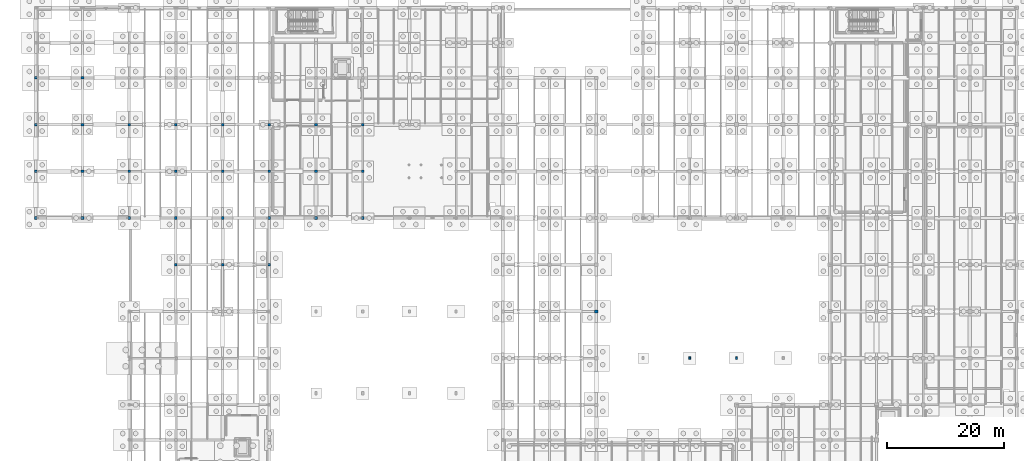
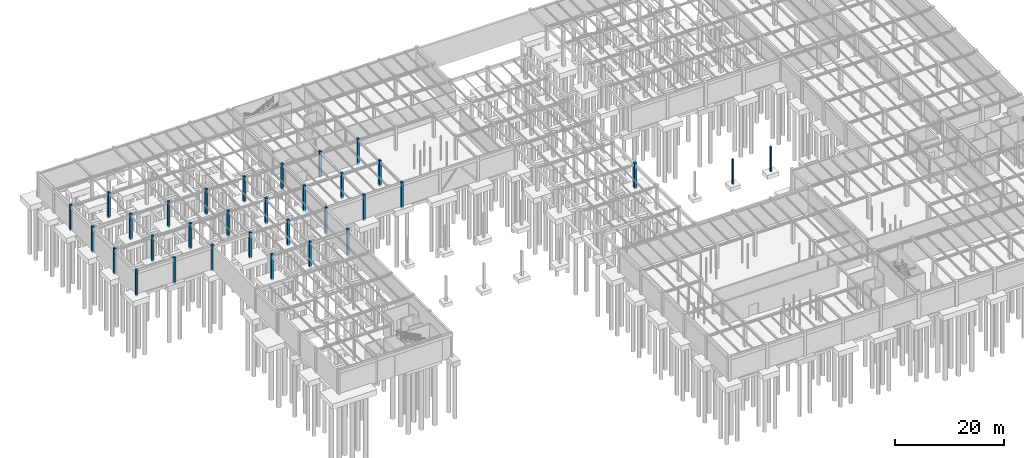
# One storey, part 18 of 71: 32 columns.
"""IFC4 building model written with IfcOpenShell, lengths in metres."""

from ifc_helpers import new_model, si_unit, direction, frame, origin, origin_2d, place, context, subcontext, project, spatial, rectangle, extrude, material, material_profile, profile_set, type_object, element, save


model = new_model("IFC4")

# Units and contexts
model_context = context("Model", 3, precision=1e-05, world=origin(), true_north=direction((0.0, 1.0)))
body_context = subcontext(model_context, "Body", "Model", "MODEL_VIEW")
ifc_project = project(units=[si_unit("LENGTHUNIT", "METRE"), si_unit("AREAUNIT", "SQUARE_METRE"), si_unit("VOLUMEUNIT", "CUBIC_METRE"), si_unit("PLANEANGLEUNIT", "RADIAN"), si_unit("MASSUNIT", "GRAM", prefix="KILO")], contexts=[model_context])

# Site, building, storey
site_placement = place(None, origin())
site = spatial("IfcSite", under=ifc_project, at=site_placement, CompositionType="ELEMENT")
building_placement = place(site_placement, origin())
building = spatial("IfcBuilding", under=site, at=building_placement, Name="Sundkrona Museum", CompositionType="ELEMENT")
storey_placement = place(building_placement, frame((0.0, 0.0, -5.39990234375)))
storey = spatial("IfcBuildingStorey", under=building, at=storey_placement, Name="B1", CompositionType="ELEMENT", Elevation=-5.39990234375)

# Columns
ifc_material = material(Name="Concrete C40/50", Category="concrete")
ifc_material_profile_1 = material_profile(ifc_material, rectangle(XDim=0.449951171875, YDim=0.449951171875, at=origin_2d()), Name="RC 450x450")
ifc_profile_set_1 = profile_set([ifc_material_profile_1], Name="Concrete C40/50")
column_type_1 = type_object("IfcColumnType", Name="C-RC450", PredefinedType="COLUMN", material=ifc_profile_set_1)
for number, where, z_axis, x_axis, name in (
    (1, (0.0, 78.0, -0.400146484375), (0.0, 0.0, 1.0), (1.0, 0.0, 0.0), "B1 Column L/1"),
    (2, (0.0, 86.0, -0.400146484375), (0.0, 0.0, 1.0), (1.0, 0.0, 0.0), "B1 Column M/1"),
    (3, (0.0, 94.0, -0.400146484375), (0.0, 0.0, 1.0), (1.0, 0.0, 0.0), "B1 Column N/1"),
    (4, (0.0, 102.0, -0.400146484375), (0.0, 0.0, 1.0), (1.0, 0.0, 0.0), "B1 Column P/1"),
    (5, (8.0, 78.0, -0.400146484375), (0.0, 0.0, 1.0), (1.0, 0.0, 0.0), "B1 Column L/2"),
    (6, (8.0, 86.0, -0.400146484375), (0.0, 0.0, 1.0), (1.0, 0.0, 0.0), "B1 Column M/2"),
    (7, (8.0, 94.0, -0.400146484375), (0.0, 0.0, 1.0), (1.0, 0.0, 0.0), "B1 Column N/2"),
    (8, (8.0, 102.0, -0.400146484375), (0.0, 0.0, 1.0), (1.0, 0.0, 0.0), "B1 Column P/2"),
    (9, (16.0, 78.0, -0.400146484375), (0.0, 0.0, 1.0), (1.0, 0.0, 0.0), "B1 Column L/3"),
    (10, (16.0, 86.0, -0.400146484375), (0.0, 0.0, 1.0), (1.0, 0.0, 0.0), "B1 Column M/3"),
    (11, (16.0, 94.0, -0.400146484375), (0.0, 0.0, 1.0), (1.0, 0.0, 0.0), "B1 Column N/3"),
    (12, (24.0, 70.0, -0.400146484375), (0.0, 0.0, 1.0), (1.0, 0.0, 0.0), "B1 Column K/4"),
    (13, (24.0, 78.0, -0.400146484375), (0.0, 0.0, 1.0), (1.0, 0.0, 0.0), "B1 Column L/4"),
    (14, (24.0, 86.0, -0.400146484375), (0.0, 0.0, 1.0), (1.0, 0.0, 0.0), "B1 Column M/4"),
    (15, (24.0, 94.0, -0.400146484375), (0.0, 0.0, 1.0), (1.0, 0.0, 0.0), "B1 Column N/4"),
    (16, (32.0, 70.0, -0.400146484375), (0.0, 0.0, 1.0), (1.0, 0.0, 0.0), "B1 Column K/5"),
    (17, (32.0, 78.0, -0.400146484375), (0.0, 0.0, 1.0), (1.0, 0.0, 0.0), "B1 Column L/5"),
    (18, (32.0, 86.0, -0.400146484375), (0.0, 0.0, 1.0), (1.0, 0.0, 0.0), "B1 Column M/5"),
    (19, (32.0, 94.0, -0.400146484375), (0.0, 0.0, 1.0), (1.0, 0.0, 0.0), "B1 Column N/5"),
    (20, (40.0, 70.0, -0.400146484375), (0.0, 0.0, 1.0), (1.0, 0.0, 0.0), "B1 Column K/6"),
    (21, (40.0, 78.0, -0.400146484375), (0.0, 0.0, 1.0), (1.0, 0.0, 0.0), "B1 Column L/6"),
    (22, (40.0, 86.0, -0.400146484375), (0.0, 0.0, 1.0), (1.0, 0.0, 0.0), "B1 Column M/6"),
    (23, (40.0, 94.0, -0.400146484375), (0.0, 0.0, 1.0), (1.0, 0.0, 0.0), "B1 Column N/6"),
    (24, (48.0, 78.0, -0.400146484375), (0.0, 0.0, 1.0), (1.0, 0.0, 0.0), "B1 Column L/7"),
    (25, (48.0, 86.0, -0.400146484375), (0.0, 0.0, 1.0), (1.0, 0.0, 0.0), "B1 Column M/7"),
    (26, (48.0, 94.0, -0.400146484375), (0.0, 0.0, 1.0), (1.0, 0.0, 0.0), "B1 Column N/7"),
    (27, (56.0, 78.0, -0.400146484375), (0.0, 0.0, 1.0), (1.0, 0.0, 0.0), "B1 Column L/8"),
    (28, (56.0, 86.0, -0.400146484375), (0.0, 0.0, 1.0), (1.0, 0.0, 0.0), "B1 Column M/8"),
    (29, (56.0, 94.0, -0.400146484375), (0.0, 0.0, 1.0), (1.0, 0.0, 0.0), "B1 Column N/8"),
):
    element("IfcColumn", number, at=place(storey_placement, frame(where, z_axis=z_axis, x_axis=x_axis)), inside=storey, type_object=column_type_1, Name=name, PredefinedType="COLUMN", context=body_context, shape_type="SweptSolid", body=[
        extrude(rectangle(XDim=0.449951171875, YDim=0.449951171875, at=origin_2d()), origin(), (0.0, 0.0, 1.0), 5.800048828125),
    ])
ifc_material_profile_2 = material_profile(ifc_material, rectangle(XDim=0.550048828125, YDim=0.550048828125, at=origin_2d()), Name="RC 550x550")
ifc_profile_set_2 = profile_set([ifc_material_profile_2], Name="Concrete C40/50")
column_type_2 = type_object("IfcColumnType", Name="C-RC550", PredefinedType="COLUMN", material=ifc_profile_set_2)
column_placement = place(storey_placement, frame((96.0, 62.0, -0.400146484375), z_axis=(0.0, 0.0, 1.0), x_axis=(1.0, 0.0, 0.0)))
element("IfcColumn", 30, at=column_placement, inside=storey, type_object=column_type_2, Name="B1 Column J/13", PredefinedType="COLUMN", context=body_context, shape_type="SweptSolid", body=[
    extrude(rectangle(XDim=0.550048828125, YDim=0.550048828125, at=origin_2d()), origin(), (0.0, 0.0, 1.0), 5.800048828125),
])
ifc_material_profile_3 = material_profile(ifc_material, rectangle(XDim=0.300048828125, YDim=0.449951171875, at=origin_2d()), Name="RC 450x300")
ifc_profile_set_3 = profile_set([ifc_material_profile_3], Name="Concrete C40/50")
column_type_3 = type_object("IfcColumnType", Name="PIL-450", PredefinedType="PILASTER", material=ifc_profile_set_3)
for number, where, z_axis, x_axis, name in (
    (31, (112.0, 54.0, -0.10009765625), (0.0, 0.0, 1.0), (1.0, 0.0, 0.0), "Arcade Foundation Pier PF-SC-02"),
    (32, (120.0, 54.0, -0.10009765625), (0.0, 0.0, 1.0), (1.0, 0.0, 0.0), "Arcade Foundation Pier PF-SC-03"),
):
    element("IfcColumn", number, at=place(storey_placement, frame(where, z_axis=z_axis, x_axis=x_axis)), inside=storey, type_object=column_type_3, Name=name, PredefinedType="PILASTER", context=body_context, shape_type="SweptSolid", body=[
        extrude(rectangle(XDim=0.300048828125, YDim=0.449951171875, at=origin_2d()), origin(), (0.0, 0.0, 1.0), 5.5),
    ])

save(model, "model.ifc")
